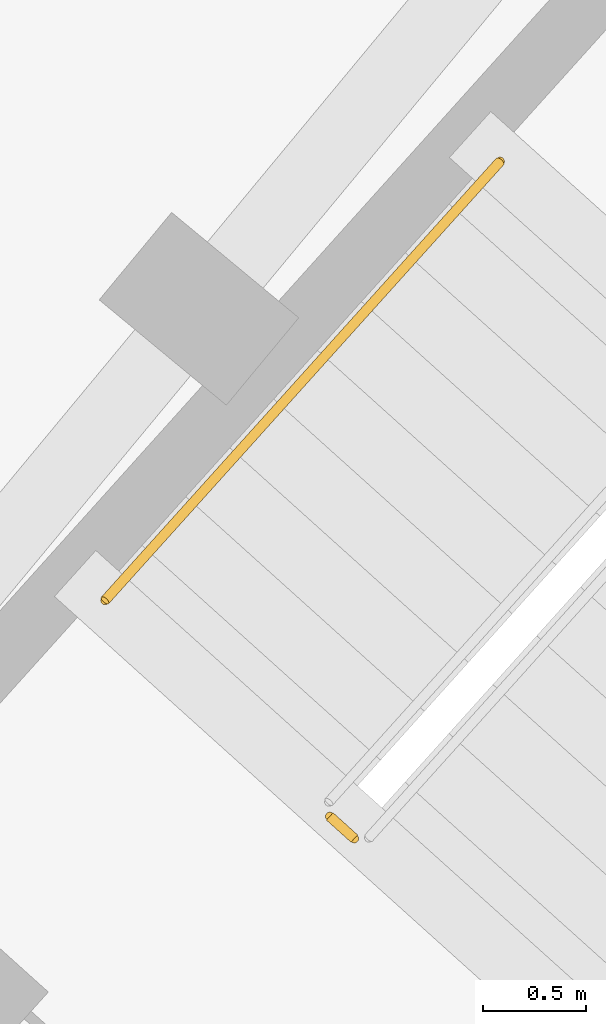
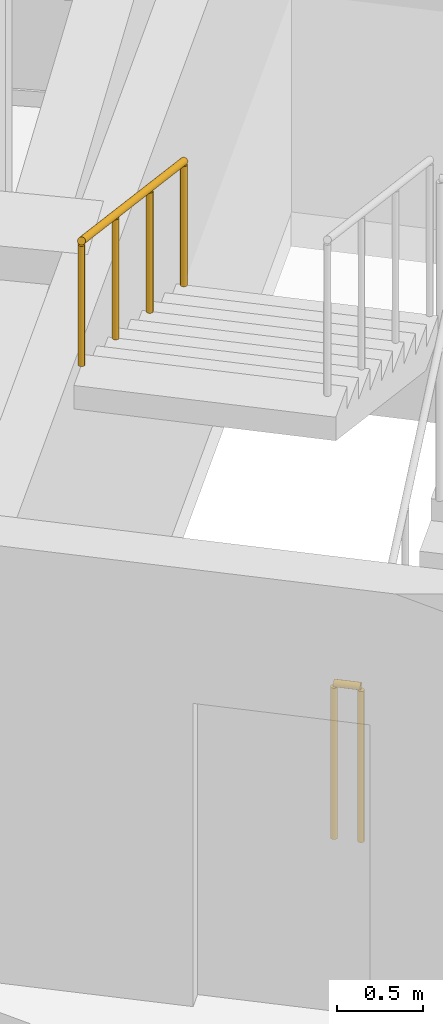
# One storey, part 50 of 55: 2 railings.
"""IFC4 building model written with IfcOpenShell, lengths in metres."""

from ifc_helpers import new_model, si_unit, direction, frame, origin, origin_2d, place, context, subcontext, project, spatial, circle, extrude, material, type_object, element, save


model = new_model("IFC4")

# Units and contexts
model_context = context("Model", 3, precision=1e-05, world=origin(), true_north=direction((0.0, 1.0)))
body_context = subcontext(model_context, "Body", "Model", "MODEL_VIEW")
ifc_project = project(units=[si_unit("LENGTHUNIT", "METRE"), si_unit("AREAUNIT", "SQUARE_METRE"), si_unit("VOLUMEUNIT", "CUBIC_METRE"), si_unit("PLANEANGLEUNIT", "RADIAN"), si_unit("MASSUNIT", "GRAM", prefix="KILO")], contexts=[model_context])

# Site, building, storey
site_placement = place(None, origin())
site = spatial("IfcSite", under=ifc_project, at=site_placement, CompositionType="ELEMENT")
building_placement = place(site_placement, origin())
building = spatial("IfcBuilding", under=site, at=building_placement, Name="Zimvara Arc Housing Community", CompositionType="ELEMENT")
storey_placement = place(building_placement, frame((0.0, 0.0, 14.300048828125)))
storey = spatial("IfcBuildingStorey", under=building, at=storey_placement, Name="L04", CompositionType="ELEMENT", Elevation=14.300048828125)

# Railings
ifc_material_1 = material(Name="Anodised Aluminium AW-6063", Category="aluminium")
railing_type_1 = type_object("IfcRailingType", Name="RLG-BAL-1120", PredefinedType="BALUSTRADE", material=ifc_material_1)
railing_1_placement = place(storey_placement, frame((80.074951171875, 83.3623046875, 0.0)))
element("IfcRailing", 1, at=railing_1_placement, inside=storey, type_object=railing_type_1, Name="L04 ST-B2 stair guard 4", PredefinedType="BALUSTRADE", context=body_context, shape_type="SweptSolid", body=[
    extrude(circle(Radius=0.02392578125, at=origin_2d()), frame((0.0, 0.0, 1.09619140625), z_axis=(-0.742763048172, 0.669554369913, 0.0), x_axis=(-0.669554369913, -0.742763048172, 0.0)), (0.0, 0.0, 1.0), 0.16015625),
    extrude(circle(Radius=0.02099609375, at=origin_2d()), origin(), (0.0, 0.0, 1.0), 1.072021484375),
    extrude(circle(Radius=0.02099609375, at=origin_2d()), frame((-0.118896484375, 0.107177734375, 0.0)), (0.0, 0.0, 1.0), 1.072021484375),
])
ifc_material_2 = material(Name="Anodised Aluminium AW-6063", Category="aluminium")
railing_type_2 = type_object("IfcRailingType", Name="RLG-HND-900", PredefinedType="HANDRAIL", material=ifc_material_2)
railing_2_placement = place(storey_placement, frame((80.78125, 86.64404296875, 1.704833984375)))
element("IfcRailing", 2, at=railing_2_placement, inside=storey, type_object=railing_type_2, Name="L04 ST-B2 stair handrail 2", PredefinedType="HANDRAIL", context=body_context, shape_type="SweptSolid", body=[
    extrude(circle(Radius=0.02392578125, at=origin_2d()), frame((0.0, 0.0, 0.8759765625), z_axis=(-0.601262536038, -0.668205807809, 0.438160200347), x_axis=(0.743362010683, -0.668889319, 0.0)), (0.0, 0.0, 1.0), 3.183837890625),
    extrude(circle(Radius=0.02099609375, at=origin_2d()), origin(), (0.0, 0.0, 1.0), 0.851806640625),
    extrude(circle(Radius=0.02099609375, at=origin_2d()), frame((-0.63818359375, -0.709228515625, 0.465087890625)), (0.0, 0.0, 1.0), 0.851806640625),
    extrude(circle(Radius=0.02099609375, at=origin_2d()), frame((-1.276123046875, -1.418212890625, 0.929931640625)), (0.0, 0.0, 1.0), 0.851806640625),
    extrude(circle(Radius=0.02099609375, at=origin_2d()), frame((-1.914306640625, -2.12744140625, 1.39501953125)), (0.0, 0.0, 1.0), 0.851806640625),
])

save(model, "model.ifc")
